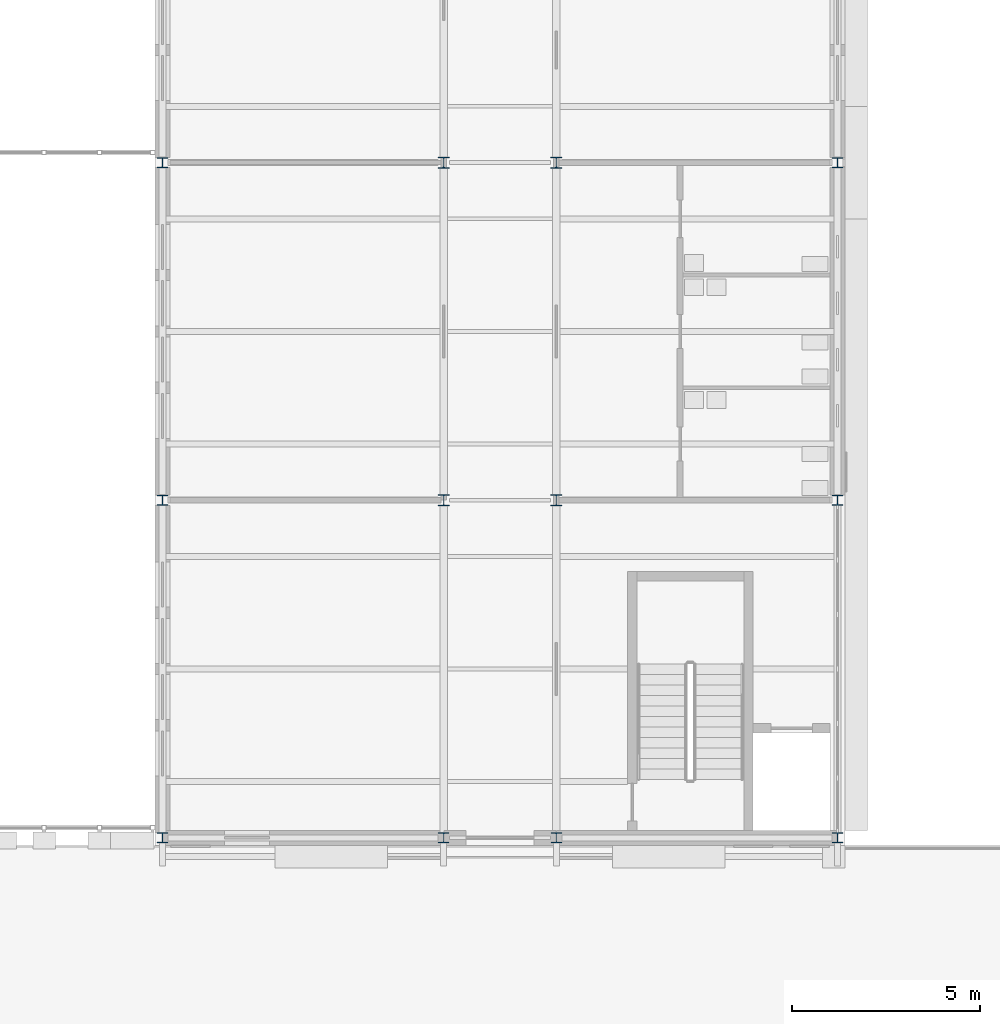
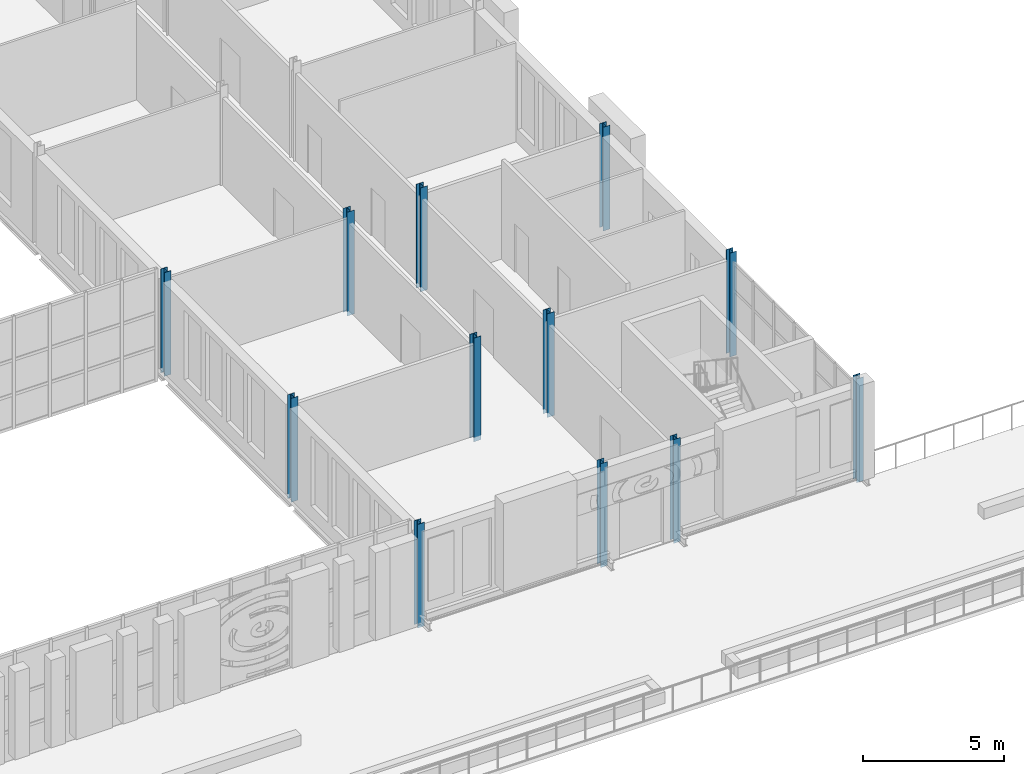
# One storey, part 6 of 134: 12 columns.
"""IFC4 building model written with IfcOpenShell, lengths in metres."""

from ifc_helpers import new_model, si_unit, direction, frame, origin, origin_2d, place, context, subcontext, project, spatial, i_section, extrude, material, material_profile, profile_set, type_object, element, save


model = new_model("IFC4")

# Units and contexts
model_context = context("Model", 3, precision=1e-05, world=origin(), true_north=direction((0.0, 1.0)))
body_context = subcontext(model_context, "Body", "Model", "MODEL_VIEW")
ifc_project = project(units=[si_unit("LENGTHUNIT", "METRE"), si_unit("AREAUNIT", "SQUARE_METRE"), si_unit("VOLUMEUNIT", "CUBIC_METRE"), si_unit("PLANEANGLEUNIT", "RADIAN"), si_unit("MASSUNIT", "GRAM", prefix="KILO")], contexts=[model_context])

# Site, building, storey
site_placement = place(None, origin())
site = spatial("IfcSite", under=ifc_project, at=site_placement, CompositionType="ELEMENT")
building_placement = place(site_placement, origin())
building = spatial("IfcBuilding", under=site, at=building_placement, Name="Golden Quay Civic Hall", CompositionType="ELEMENT")
storey_placement = place(building_placement, frame((0.0, 0.0, 5.39990234375)))
storey = spatial("IfcBuildingStorey", under=building, at=storey_placement, Name="L01", CompositionType="ELEMENT", Elevation=5.39990234375)

# Columns
ifc_material_1 = material(Name="Steel S355", Category="steel")
ifc_material_profile_1 = material_profile(ifc_material_1, i_section(OverallWidth=0.280029296875, OverallDepth=0.27001953125, WebThickness=0.008056640625, FlangeThickness=0.012939453125, FilletRadius=0.02392578125, at=origin_2d()), Name="HEA 280")
ifc_profile_set_1 = profile_set([ifc_material_profile_1], Name="Steel S355")
column_type_1 = type_object("IfcColumnType", Name="Steel column HEA 280", PredefinedType="COLUMN", material=ifc_profile_set_1)
for number, where, z_axis, x_axis, name in (
    (1, (99.0, 0.0, -0.199951171875), (0.0, 0.0, 1.0), (1.0, 0.0, 0.0), "Column 99/0 L01"),
    (2, (99.0, 9.0, -0.199951171875), (0.0, 0.0, 1.0), (1.0, 0.0, 0.0), "Column 99/9 L01"),
    (3, (99.0, 18.0, -0.199951171875), (0.0, 0.0, 1.0), (1.0, 0.0, 0.0), "Column 99/18 L01"),
    (4, (106.5, 0.0, -0.199951171875), (0.0, 0.0, 1.0), (1.0, 0.0, 0.0), "Column 106.5/0 L01"),
    (5, (109.5, 0.0, -0.199951171875), (0.0, 0.0, 1.0), (1.0, 0.0, 0.0), "Column 109.5/0 L01"),
    (6, (117.0, 0.0, -0.199951171875), (0.0, 0.0, 1.0), (1.0, 0.0, 0.0), "Column 117/0 L01"),
    (7, (117.0, 9.0, -0.199951171875), (0.0, 0.0, 1.0), (1.0, 0.0, 0.0), "Column 117/9 L01"),
    (8, (117.0, 18.0, -0.199951171875), (0.0, 0.0, 1.0), (1.0, 0.0, 0.0), "Column 117/18 L01"),
):
    element("IfcColumn", number, at=place(storey_placement, frame(where, z_axis=z_axis, x_axis=x_axis)), inside=storey, type_object=column_type_1, Name=name, PredefinedType="COLUMN", context=body_context, shape_type="SweptSolid", body=[
        extrude(i_section(OverallWidth=0.280029296875, OverallDepth=0.27001953125, WebThickness=0.008056640625, FlangeThickness=0.012939453125, FilletRadius=0.02392578125, at=origin_2d()), origin(), (0.0, 0.0, 1.0), 4.5),
    ])
ifc_material_2 = material(Name="Steel S355", Category="steel")
ifc_material_profile_2 = material_profile(ifc_material_2, i_section(OverallWidth=0.300048828125, OverallDepth=0.2900390625, WebThickness=0.008544921875, FlangeThickness=0.013916015625, FilletRadius=0.027099609375, at=origin_2d()), Name="HEA 300")
ifc_profile_set_2 = profile_set([ifc_material_profile_2], Name="Steel S355")
column_type_2 = type_object("IfcColumnType", Name="Steel column HEA 300", PredefinedType="COLUMN", material=ifc_profile_set_2)
for number, where, z_axis, x_axis, name in (
    (9, (106.5, 9.0, -0.199951171875), (0.0, 0.0, 1.0), (1.0, 0.0, 0.0), "Column 106.5/9 L01"),
    (10, (106.5, 18.0, -0.199951171875), (0.0, 0.0, 1.0), (1.0, 0.0, 0.0), "Column 106.5/18 L01"),
    (11, (109.5, 9.0, -0.199951171875), (0.0, 0.0, 1.0), (1.0, 0.0, 0.0), "Column 109.5/9 L01"),
    (12, (109.5, 18.0, -0.199951171875), (0.0, 0.0, 1.0), (1.0, 0.0, 0.0), "Column 109.5/18 L01"),
):
    element("IfcColumn", number, at=place(storey_placement, frame(where, z_axis=z_axis, x_axis=x_axis)), inside=storey, type_object=column_type_2, Name=name, PredefinedType="COLUMN", context=body_context, shape_type="SweptSolid", body=[
        extrude(i_section(OverallWidth=0.300048828125, OverallDepth=0.2900390625, WebThickness=0.008544921875, FlangeThickness=0.013916015625, FilletRadius=0.027099609375, at=origin_2d()), origin(), (0.0, 0.0, 1.0), 4.5),
    ])

save(model, "model.ifc")
